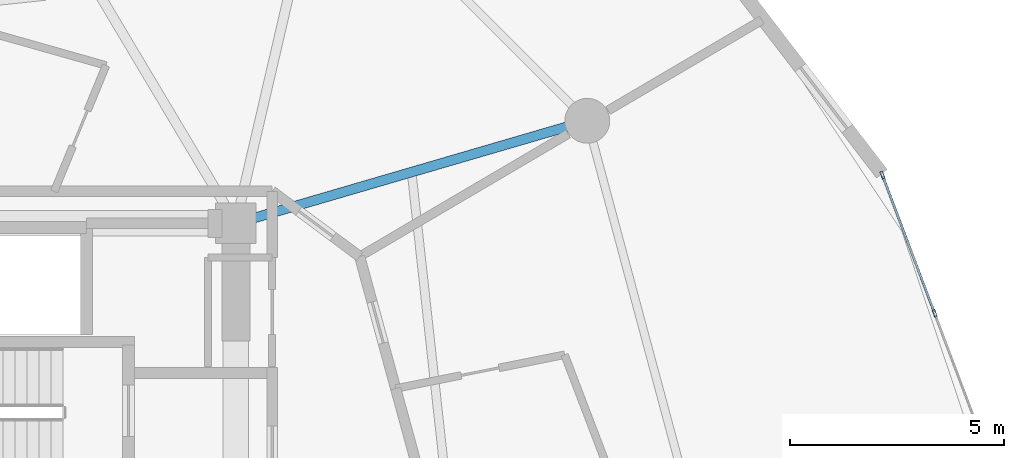
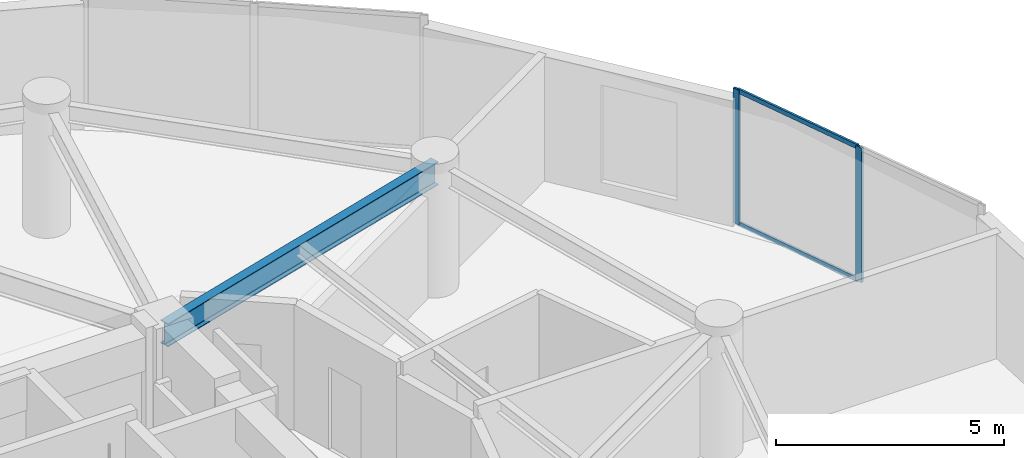
# One storey, part 14 of 25: 4 members, 1 beam, 1 element without a shape of its own.
"""IFC4 building model written with IfcOpenShell, lengths in metres."""

from ifc_helpers import new_model, si_unit, direction, frame, origin, origin_2d, place, context, subcontext, project, spatial, hollow_rectangle, i_section, extrude, source, transform, mapped, material, layer, layer_set, material_profile, profile_set, type_object, element, aggregate, save


model = new_model("IFC4")

# Units and contexts
model_context = context("Model", 3, precision=1e-05, world=origin(), true_north=direction((0.0, 1.0)))
body_context = subcontext(model_context, "Body", "Model", "MODEL_VIEW")
ifc_project = project(units=[si_unit("LENGTHUNIT", "METRE"), si_unit("AREAUNIT", "SQUARE_METRE"), si_unit("VOLUMEUNIT", "CUBIC_METRE"), si_unit("PLANEANGLEUNIT", "RADIAN"), si_unit("MASSUNIT", "GRAM", prefix="KILO")], contexts=[model_context])

# Site, building, storey
site_placement = place(None, origin())
site = spatial("IfcSite", under=ifc_project, at=site_placement, CompositionType="ELEMENT")
building_placement = place(site_placement, origin())
building = spatial("IfcBuilding", under=site, at=building_placement, Name="Solvirekh Grand Hotel", CompositionType="ELEMENT")
storey_placement = place(building_placement, frame((0.0, 0.0, 106.199951171875)))
storey = spatial("IfcBuildingStorey", under=building, at=storey_placement, Name="L26", CompositionType="ELEMENT", Elevation=106.199951171875)

# Beam
ifc_material_1 = material(Name="Steel S355", Category="steel")
ifc_material_profile_1 = material_profile(ifc_material_1, i_section(OverallWidth=0.22802734375, OverallDepth=0.616943359375, WebThickness=0.012939453125, FlangeThickness=0.02001953125, FilletRadius=0.014892578125, at=origin_2d()), Name="W610X140")
ifc_profile_set_1 = profile_set([ifc_material_profile_1], Name="Steel S355")
beam_type = type_object("IfcBeamType", Name="Beam_Radial_W610", PredefinedType="BEAM", material=ifc_profile_set_1)
beam_placement = place(storey_placement, frame((6.5, 6.10009765625, 3.0419921875), z_axis=(0.959942195467, 0.28019811092, 0.0), x_axis=(-0.28019811092, 0.959942195467, 0.0)))
element("IfcBeam", 1, at=beam_placement, inside=storey, type_object=beam_type, Name="L26 radial floor beam R02", PredefinedType="BEAM", context=body_context, shape_type="SweptSolid", body=[
    extrude(i_section(OverallWidth=0.22802734375, OverallDepth=0.616943359375, WebThickness=0.012939453125, FlangeThickness=0.02001953125, FilletRadius=0.014892578125, at=origin_2d()), origin(), (0.0, 0.0, 1.0), 8.56494140625),
])

# Curtain wall, members
ifc_material_2 = material(Name="Anodized Bronze Aluminium 6063-T6", Category="aluminium")
ifc_layer = layer(ifc_material_2, 0.175048828125)
ifc_layer_set = layer_set([ifc_layer], Name="Anodized Bronze Aluminium 6063-T6")
curtain_wall_type = type_object("IfcCurtainWallType", Name="CW_Sys3_MidZoneFlushBronzeCW", PredefinedType="NOTDEFINED", material=ifc_layer_set)
curtain_wall_placement = place(storey_placement, origin())
curtain_wall = element("IfcCurtainWall", 2, at=curtain_wall_placement, inside=storey, type_object=curtain_wall_type, Name="L26 unitised bronze-glass curtain wall CW-L26-C03", PredefinedType="NOTDEFINED")
ifc_material_profile_2 = material_profile(ifc_material_2, hollow_rectangle(XDim=0.054931640625, YDim=0.1201171875, WallThickness=0.00390625, at=origin_2d()), Name="ALU RHS 120X55X4")
ifc_profile_set_2 = profile_set([ifc_material_profile_2], Name="Anodized Bronze Aluminium 6063-T6")
member_type_1 = type_object("IfcMemberType", Name="CWTransom_Sys3", PredefinedType="USERDEFINED", material=ifc_profile_set_2)
shared_shape_1 = source(origin(), body_context, "Body", "SweptSolid", [
    extrude(hollow_rectangle(XDim=0.054931640625, YDim=0.1201171875, WallThickness=0.00390625, at=origin_2d()), origin(), (0.0, 0.0, 1.0), 3.397216796875),
])
member_1_placement = place(storey_placement, frame((22.839111328125, 4.0224609375, 0.027587890625), z_axis=(-0.353579450188, 0.935404496677, 0.0), x_axis=(-0.935404496677, -0.353579450188, 0.0)))
member_1 = element("IfcMember", 3, at=member_1_placement, type_object=member_type_1, Name="U03 transom 2.1", ObjectType="TRANSOM", PredefinedType="USERDEFINED", context=body_context, shape_type="MappedRepresentation", body=[
    mapped(shared_shape_1, transform((0.0, 0.0, 0.0), x_axis=(1.0, 0.0, 0.0), y_axis=(0.0, 1.0, 0.0), z_axis=(0.0, 0.0, 1.0), scale=1.0)),
])
member_2_placement = place(storey_placement, frame((22.839111328125, 4.0224609375, 3.572509765625), z_axis=(-0.353579450188, 0.935404496677, 0.0), x_axis=(-0.935404496677, -0.353579450188, 0.0)))
member_2 = element("IfcMember", 4, at=member_2_placement, type_object=member_type_1, Name="U03 transom 2.2", ObjectType="TRANSOM", PredefinedType="USERDEFINED", context=body_context, shape_type="MappedRepresentation", body=[
    mapped(shared_shape_1, transform((0.0, 0.0, 0.0), x_axis=(1.0, 0.0, 0.0), y_axis=(0.0, 1.0, 0.0), z_axis=(0.0, 0.0, 1.0), scale=1.0)),
])
ifc_material_profile_3 = material_profile(ifc_material_2, hollow_rectangle(XDim=0.06494140625, YDim=0.175048828125, WallThickness=0.0048828125, at=origin_2d()), Name="ALU RHS 175X65X5")
ifc_profile_set_3 = profile_set([ifc_material_profile_3], Name="Anodized Bronze Aluminium 6063-T6")
member_type_2 = type_object("IfcMemberType", Name="CWMullion_Sys3", PredefinedType="MULLION", material=ifc_profile_set_3)
shared_shape_2 = source(origin(), body_context, "Body", "SweptSolid", [
    extrude(hollow_rectangle(XDim=0.06494140625, YDim=0.175048828125, WallThickness=0.0048828125, at=origin_2d()), origin(), (0.0, 0.0, 1.0), 3.60009765625),
])
member_3_placement = place(storey_placement, frame((22.8505859375, 3.991943359375, 0.0), z_axis=(0.0, 0.0, 1.0), x_axis=(-0.935420579411, -0.353536899934, 0.0)))
member_3 = element("IfcMember", 5, at=member_3_placement, type_object=member_type_2, Name="U03 mullion 2", PredefinedType="MULLION", context=body_context, shape_type="MappedRepresentation", body=[
    mapped(shared_shape_2, transform((0.0, 0.0, 0.0), x_axis=(1.0, 0.0, 0.0), y_axis=(0.0, 1.0, 0.0), z_axis=(0.0, 0.0, 1.0), scale=1.0)),
])
member_4_placement = place(storey_placement, frame((21.62646484375, 7.230712890625, 0.0), z_axis=(0.0, 0.0, 1.0), x_axis=(-0.935420579411, -0.353536899934, 0.0)))
member_4 = element("IfcMember", 6, at=member_4_placement, type_object=member_type_2, Name="U03 mullion 3", PredefinedType="MULLION", context=body_context, shape_type="MappedRepresentation", body=[
    mapped(shared_shape_2, transform((0.0, 0.0, 0.0), x_axis=(1.0, 0.0, 0.0), y_axis=(0.0, 1.0, 0.0), z_axis=(0.0, 0.0, 1.0), scale=1.0)),
])
aggregate(curtain_wall, [member_3, member_4, member_1, member_2])

save(model, "model.ifc")
